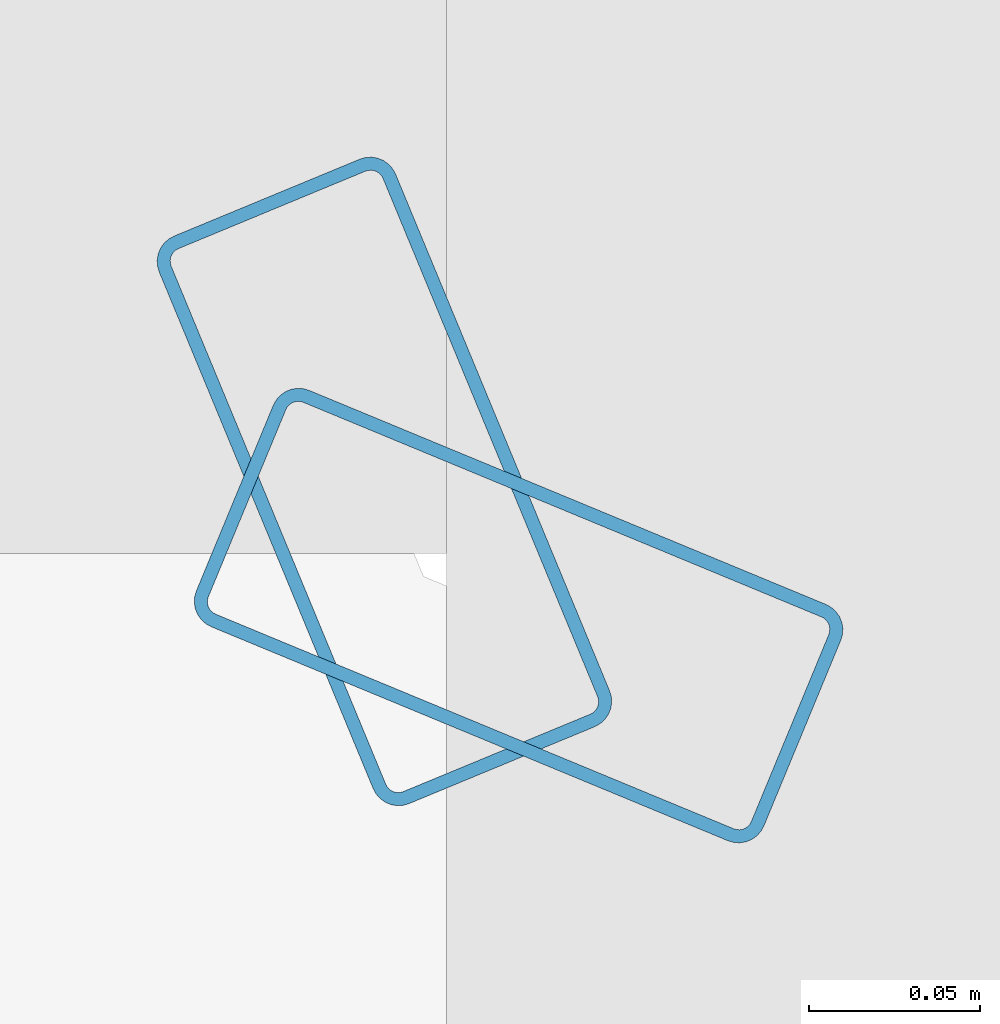
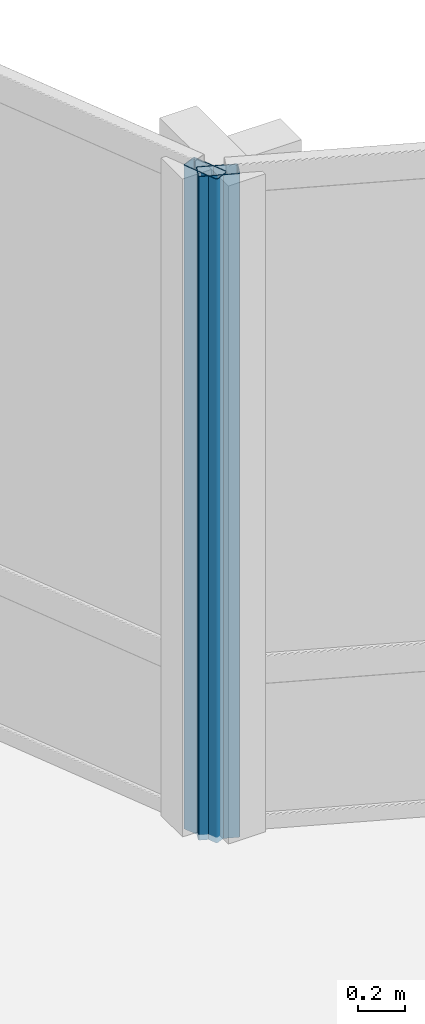
# One storey, part 8 of 29: 2 members, 2 elements without a shape of their own.
"""IFC4 building model written with IfcOpenShell, lengths in metres."""

from ifc_helpers import new_model, si_unit, direction, frame, origin, origin_2d, place, context, subcontext, project, spatial, hollow_rectangle, extrude, material, layer, layer_set, material_profile, profile_set, type_object, element, aggregate, save


model = new_model("IFC4")

# Units and contexts
model_context = context("Model", 3, precision=1e-05, world=origin(), true_north=direction((0.0, 1.0)))
body_context = subcontext(model_context, "Body", "Model", "MODEL_VIEW")
ifc_project = project(units=[si_unit("LENGTHUNIT", "METRE"), si_unit("AREAUNIT", "SQUARE_METRE"), si_unit("VOLUMEUNIT", "CUBIC_METRE"), si_unit("PLANEANGLEUNIT", "RADIAN"), si_unit("MASSUNIT", "GRAM", prefix="KILO")], contexts=[model_context])

# Site, building, storey
site_placement = place(None, origin())
site = spatial("IfcSite", under=ifc_project, at=site_placement, CompositionType="ELEMENT")
building_placement = place(site_placement, origin())
building = spatial("IfcBuilding", under=site, at=building_placement, Name="Solvaryn Broadcast Tower", CompositionType="ELEMENT")
storey_placement = place(building_placement, frame((0.0, 0.0, 139.60009765625)))
storey = spatial("IfcBuildingStorey", under=building, at=storey_placement, Name="L34", CompositionType="ELEMENT", Elevation=139.60009765625)

# Curtain wall, member
ifc_material_1 = material(Name="Aluminium and Terracotta Unitised Curtain Wall", Category="masonry")
ifc_layer = layer(ifc_material_1, 0.199951171875)
ifc_layer_set = layer_set([ifc_layer], Name="CW-SYS2-LOWMID")
curtain_wall_type = type_object("IfcCurtainWallType", Name="CW-SYS2-LOWMID", PredefinedType="NOTDEFINED", material=ifc_layer_set)
curtain_wall_1_placement = place(storey_placement, origin())
curtain_wall_1 = element("IfcCurtainWall", 1, at=curtain_wall_1_placement, inside=storey, type_object=curtain_wall_type, Name="L34 Curtain Wall CN1", PredefinedType="NOTDEFINED")
ifc_material_2 = material(Name="Anodised Aluminium 6063-T6", Category="aluminium")
ifc_material_profile = material_profile(ifc_material_2, hollow_rectangle(XDim=0.074951171875, YDim=0.179931640625, WallThickness=0.00390625, InnerFilletRadius=0.00390625, OuterFilletRadius=0.008056640625, at=origin_2d()))
ifc_profile_set = profile_set([ifc_material_profile], Name="Anodised Aluminium 6063-T6")
member_type = type_object("IfcMemberType", Name="CW-MUL-180", PredefinedType="MULLION", material=ifc_profile_set)
member_1_placement = place(storey_placement, frame((30.395751953125, 30.3564453125, 0.0), z_axis=(0.0, 0.0, 1.0), x_axis=(-0.382646127145, -0.923894983957, 0.0)))
member_1 = element("IfcMember", 2, at=member_1_placement, type_object=member_type, Name="CWS2 mullion 2", PredefinedType="MULLION", context=body_context, shape_type="SweptSolid", body=[
    extrude(hollow_rectangle(XDim=0.074951171875, YDim=0.179931640625, WallThickness=0.00390625, InnerFilletRadius=0.00390625, OuterFilletRadius=0.008056640625, at=origin_2d()), origin(), (0.0, 0.0, 1.0), 3.419921875),
])
aggregate(curtain_wall_1, [member_1])

curtain_wall_2_placement = place(storey_placement, origin())
curtain_wall_2 = element("IfcCurtainWall", 3, at=curtain_wall_2_placement, inside=storey, type_object=curtain_wall_type, Name="L34 Curtain Wall CN2", PredefinedType="NOTDEFINED")
member_2_placement = place(storey_placement, frame((30.3564453125, 30.395751953125, 0.0), z_axis=(0.0, 0.0, 1.0), x_axis=(-0.923894983957, -0.382646127145, 0.0)))
member_2 = element("IfcMember", 4, at=member_2_placement, type_object=member_type, Name="CWS2 mullion 1", PredefinedType="MULLION", context=body_context, shape_type="SweptSolid", body=[
    extrude(hollow_rectangle(XDim=0.074951171875, YDim=0.179931640625, WallThickness=0.00390625, InnerFilletRadius=0.00390625, OuterFilletRadius=0.008056640625, at=origin_2d()), origin(), (0.0, 0.0, 1.0), 3.419921875),
])
aggregate(curtain_wall_2, [member_2])

save(model, "model.ifc")
